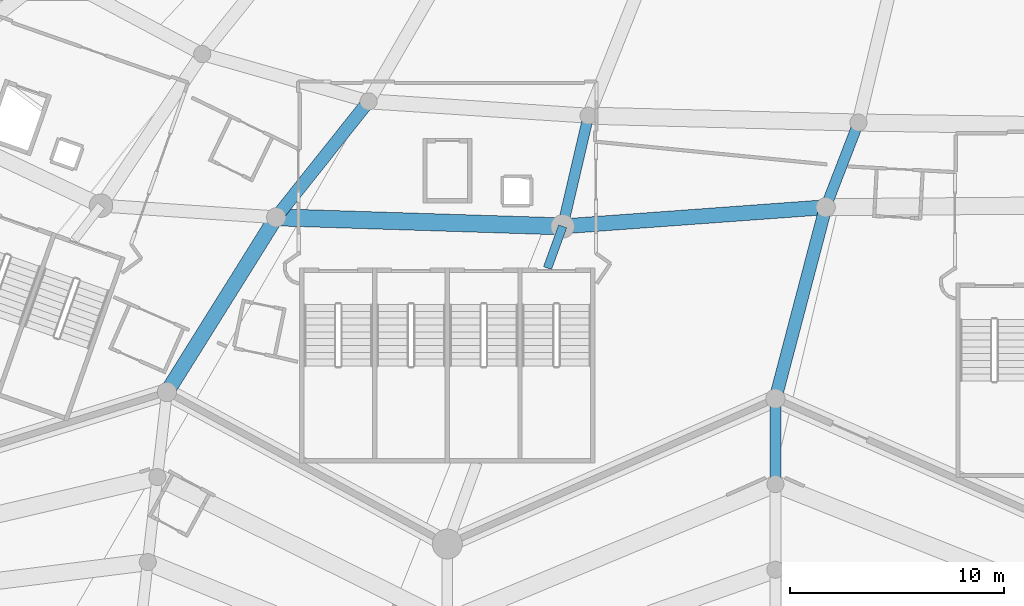
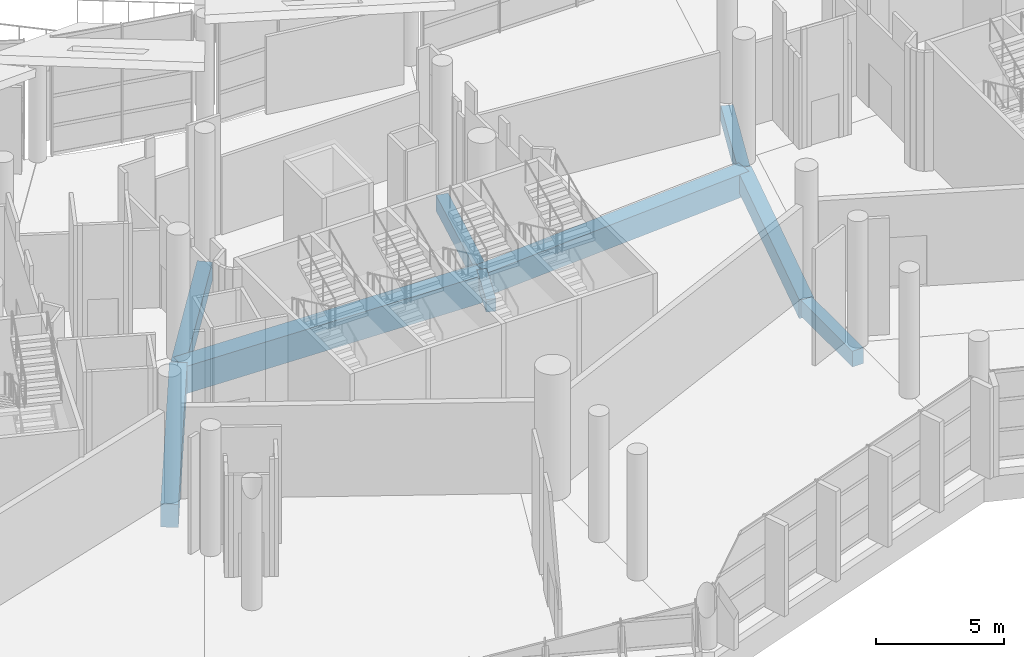
# One storey, part 14 of 249: 9 beams.
"""IFC4 building model written with IfcOpenShell, lengths in metres."""

from ifc_helpers import new_model, si_unit, direction, frame, origin, origin_2d, place, context, subcontext, project, spatial, rectangle, extrude, material, material_profile, profile_set, type_object, element, save


model = new_model("IFC4")

# Units and contexts
model_context = context("Model", 3, precision=1e-05, world=origin(), true_north=direction((0.0, 1.0)))
body_context = subcontext(model_context, "Body", "Model", "MODEL_VIEW")
ifc_project = project(units=[si_unit("LENGTHUNIT", "METRE"), si_unit("AREAUNIT", "SQUARE_METRE"), si_unit("VOLUMEUNIT", "CUBIC_METRE"), si_unit("PLANEANGLEUNIT", "RADIAN"), si_unit("MASSUNIT", "GRAM", prefix="KILO")], contexts=[model_context])

# Site, building, storey
site_placement = place(None, origin())
site = spatial("IfcSite", under=ifc_project, at=site_placement, CompositionType="ELEMENT")
building_placement = place(site_placement, origin())
building = spatial("IfcBuilding", under=site, at=building_placement, Name="Meseta Stadium", CompositionType="ELEMENT")
storey_placement = place(building_placement, frame((0.0, 0.0, 12.0)))
storey = spatial("IfcBuildingStorey", under=building, at=storey_placement, Name="L02", CompositionType="ELEMENT", Elevation=12.0)

# Beams
ifc_material_1 = material(Name="Concrete C40/50", Category="concrete")
ifc_material_profile_1 = material_profile(ifc_material_1, rectangle(XDim=0.39990234375, YDim=0.60009765625, at=origin_2d()), Name="RC 400x600")
ifc_profile_set_1 = profile_set([ifc_material_profile_1], Name="Concrete C40/50")
beam_type_1 = type_object("IfcBeamType", Name="RC beam 400x600", PredefinedType="BEAM", material=ifc_profile_set_1)
beam_1_placement = place(storey_placement, frame((-32.944091796875, -90.551025390625, -0.64990234375), z_axis=(-0.341128443291, -0.940016694095, 0.0), x_axis=(0.940016694095, -0.341128443291, 0.0)))
element("IfcBeam", 1, at=beam_1_placement, inside=storey, type_object=beam_type_1, Name="L02 radial beam frame 44 line P to R", PredefinedType="BEAM", context=body_context, shape_type="SweptSolid", body=[
    extrude(rectangle(XDim=0.39990234375, YDim=0.60009765625, at=origin_2d()), origin(), (0.0, 0.0, 1.0), 2.0732421875),
])
ifc_material_2 = material(Name="Concrete C40/50", Category="concrete")
ifc_material_profile_2 = material_profile(ifc_material_2, rectangle(XDim=0.5, YDim=0.75, at=origin_2d()), Name="RC 500x750")
ifc_profile_set_2 = profile_set([ifc_material_profile_2], Name="Concrete C40/50")
beam_type_2 = type_object("IfcBeamType", Name="RC beam 500x750", PredefinedType="BEAM", material=ifc_profile_set_2)
beam_2_placement = place(storey_placement, frame((-31.73681640625, -85.376708984375, -0.72509765625), z_axis=(-0.22721799518, -0.973843921101, 0.0), x_axis=(0.973843921101, -0.22721799518, 0.0)))
element("IfcBeam", 2, at=beam_2_placement, inside=storey, type_object=beam_type_2, Name="L02 radial beam frame 44 line E to P", PredefinedType="BEAM", context=body_context, shape_type="SweptSolid", body=[
    extrude(rectangle(XDim=0.5, YDim=0.75, at=origin_2d()), origin(), (0.0, 0.0, 1.0), 5.313232421875),
])
beam_3_placement = place(storey_placement, frame((-19.11865234375, -85.6982421875, -0.72509765625), z_axis=(-0.360763299369, -0.932657408606, 0.0), x_axis=(0.932657408606, -0.360763299369, 0.0)))
element("IfcBeam", 3, at=beam_3_placement, inside=storey, type_object=beam_type_2, Name="L02 radial beam frame 45 line E to P", PredefinedType="BEAM", context=body_context, shape_type="SweptSolid", body=[
    extrude(rectangle(XDim=0.5, YDim=0.75, at=origin_2d()), origin(), (0.0, 0.0, 1.0), 4.243896484375),
])
beam_4_placement = place(storey_placement, frame((-23.0, -98.60009765625, -0.72509765625), z_axis=(0.0, -1.0, 0.0), x_axis=(1.0, 0.0, 0.0)))
element("IfcBeam", 4, at=beam_4_placement, inside=storey, type_object=beam_type_2, Name="L02 radial beam frame 45 line R to M", PredefinedType="BEAM", context=body_context, shape_type="SweptSolid", body=[
    extrude(rectangle(XDim=0.5, YDim=0.75, at=origin_2d()), origin(), (0.0, 0.0, 1.0), 4.0),
])
ifc_material_3 = material(Name="Concrete C40/50", Category="concrete")
ifc_material_profile_3 = material_profile(ifc_material_3, rectangle(XDim=0.60009765625, YDim=0.89990234375, at=origin_2d()), Name="RC 600x900")
ifc_profile_set_3 = profile_set([ifc_material_profile_3], Name="Concrete C40/50")
beam_type_3 = type_object("IfcBeamType", Name="RC beam 600x900", PredefinedType="BEAM", material=ifc_profile_set_3)
beam_5_placement = place(storey_placement, frame((-42.015380859375, -84.707275390625, -0.800048828125), z_axis=(-0.623172725644, -0.782084237159, 0.0), x_axis=(0.782084237159, -0.623172725644, 0.0)))
element("IfcBeam", 5, at=beam_5_placement, inside=storey, type_object=beam_type_3, Name="L02 radial beam frame 43 line E to P", PredefinedType="BEAM", context=body_context, shape_type="SweptSolid", body=[
    extrude(rectangle(XDim=0.60009765625, YDim=0.89990234375, at=origin_2d()), origin(), (0.0, 0.0, 1.0), 6.928955078125),
])
beam_6_placement = place(storey_placement, frame((-20.649658203125, -89.65625, -0.800048828125), z_axis=(-0.254159308712, -0.967162367855, 0.0), x_axis=(0.967162367855, -0.254159308712, 0.0)))
element("IfcBeam", 6, at=beam_6_placement, inside=storey, type_object=beam_type_3, Name="L02 radial beam frame 45 line P to R", PredefinedType="BEAM", context=body_context, shape_type="SweptSolid", body=[
    extrude(rectangle(XDim=0.60009765625, YDim=0.89990234375, at=origin_2d()), origin(), (0.0, 0.0, 1.0), 9.24755859375),
])
ifc_material_4 = material(Name="Concrete C40/50", Category="concrete")
ifc_material_profile_4 = material_profile(ifc_material_4, rectangle(XDim=0.699951171875, YDim=1.10009765625, at=origin_2d()), Name="RC 700x1100")
ifc_profile_set_4 = profile_set([ifc_material_profile_4], Name="Concrete C40/50")
beam_type_4 = type_object("IfcBeamType", Name="RC beam 700x1100", PredefinedType="BEAM", material=ifc_profile_set_4)
beam_7_placement = place(storey_placement, frame((-32.944091796875, -90.551025390625, -0.89990234375), z_axis=(0.99736209032, 0.072586918881, 0.0), x_axis=(-0.072586918881, 0.99736209032, 0.0)))
element("IfcBeam", 7, at=beam_7_placement, inside=storey, type_object=beam_type_4, Name="L02 ring beam frame 44 line P", PredefinedType="BEAM", context=body_context, shape_type="SweptSolid", body=[
    extrude(rectangle(XDim=0.699951171875, YDim=1.10009765625, at=origin_2d()), origin(), (0.0, 0.0, 1.0), 12.326904296875),
])
beam_8_placement = place(storey_placement, frame((-46.333251953125, -90.126220703125, -0.89990234375), z_axis=(-0.530224433937, -0.847857328597, 0.0), x_axis=(0.847857328597, -0.530224433937, 0.0)))
element("IfcBeam", 8, at=beam_8_placement, inside=storey, type_object=beam_type_4, Name="L02 radial beam frame 43 line P to R", PredefinedType="BEAM", context=body_context, shape_type="SweptSolid", body=[
    extrude(rectangle(XDim=0.699951171875, YDim=1.10009765625, at=origin_2d()), origin(), (0.0, 0.0, 1.0), 9.634033203125),
])
ifc_material_5 = material(Name="Concrete C40/50", Category="concrete")
ifc_material_profile_5 = material_profile(ifc_material_5, rectangle(XDim=0.800048828125, YDim=1.300048828125, at=origin_2d()), Name="RC 800x1300")
ifc_profile_set_5 = profile_set([ifc_material_profile_5], Name="Concrete C40/50")
beam_type_5 = type_object("IfcBeamType", Name="RC beam 800x1300", PredefinedType="BEAM", material=ifc_profile_set_5)
beam_9_placement = place(storey_placement, frame((-46.333251953125, -90.126220703125, -1.0), z_axis=(0.999497062289, -0.031711551154, 0.0), x_axis=(0.031711551154, 0.999497062289, 0.0)))
element("IfcBeam", 9, at=beam_9_placement, inside=storey, type_object=beam_type_5, Name="L02 ring beam frame 43 line P", PredefinedType="BEAM", context=body_context, shape_type="SweptSolid", body=[
    extrude(rectangle(XDim=0.800048828125, YDim=1.300048828125, at=origin_2d()), origin(), (0.0, 0.0, 1.0), 13.39599609375),
])

save(model, "model.ifc")
